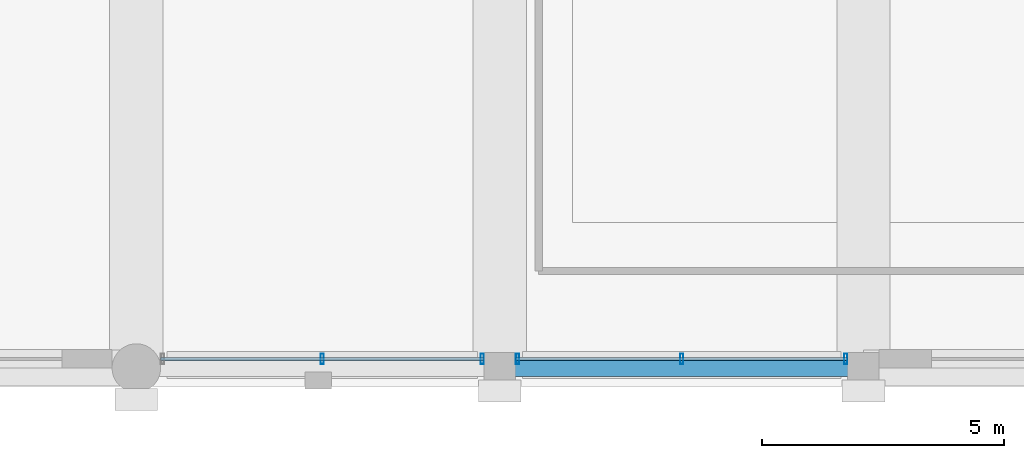
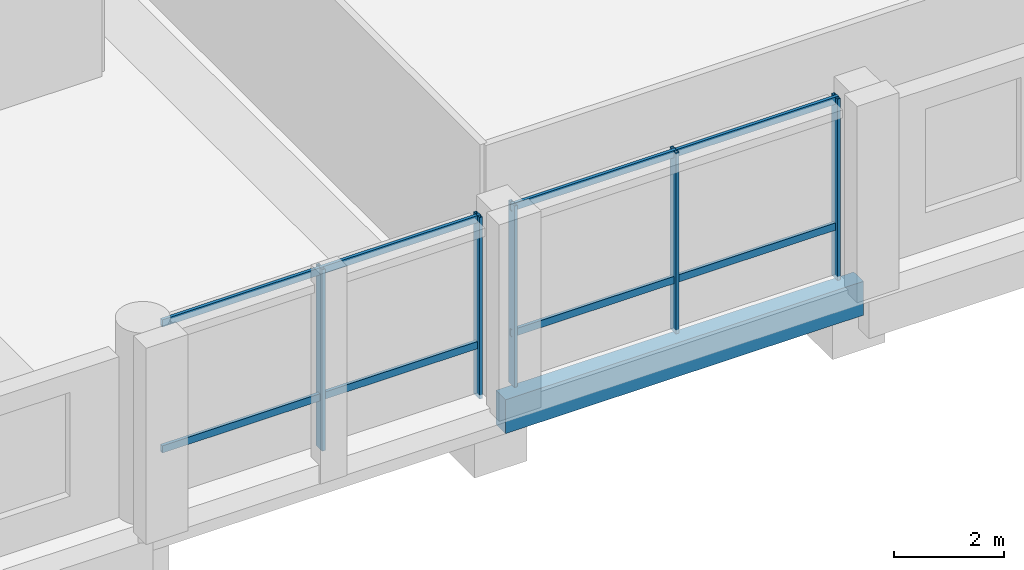
# One storey, part 13 of 64: 9 members, 1 beam, 2 elements without a shape of their own.
"""IFC4 building model written with IfcOpenShell, lengths in metres."""

from ifc_helpers import new_model, si_unit, direction, frame, origin, origin_2d, place, context, subcontext, project, spatial, rectangle, hollow_rectangle, extrude, material, material_profile, profile_set, type_object, element, aggregate, save


model = new_model("IFC4")

# Units and contexts
model_context = context("Model", 3, precision=1e-05, world=origin(), true_north=direction((0.0, 1.0)))
body_context = subcontext(model_context, "Body", "Model", "MODEL_VIEW")
ifc_project = project(units=[si_unit("LENGTHUNIT", "METRE"), si_unit("AREAUNIT", "SQUARE_METRE"), si_unit("VOLUMEUNIT", "CUBIC_METRE"), si_unit("PLANEANGLEUNIT", "RADIAN"), si_unit("MASSUNIT", "GRAM", prefix="KILO")], contexts=[model_context])

# Site, building, storey
site_placement = place(None, origin())
site = spatial("IfcSite", under=ifc_project, at=site_placement, CompositionType="ELEMENT")
building_placement = place(site_placement, origin())
building = spatial("IfcBuilding", under=site, at=building_placement, Name="Akrevak Sports Hall", CompositionType="ELEMENT")
storey_placement = place(building_placement, frame((0.0, 0.0, 4.60009765625)))
storey = spatial("IfcBuildingStorey", under=building, at=storey_placement, Name="L01", CompositionType="ELEMENT", Elevation=4.60009765625)

# Curtain wall, members
ifc_material_1 = material(Name="Anodized Bronze Aluminium & Low-E Glass", Category="aluminium")
curtain_wall_type_1 = type_object("IfcCurtainWallType", Name="ARC-CW-POD-64x44", PredefinedType="NOTDEFINED", material=ifc_material_1)
curtain_wall_1_placement = place(storey_placement, origin())
curtain_wall_1 = element("IfcCurtainWall", 1, at=curtain_wall_1_placement, inside=storey, type_object=curtain_wall_type_1, Name="Curtain Wall CW-L01-S03", PredefinedType="NOTDEFINED")
ifc_material_2 = material(Name="Anodized Bronze Aluminium", Category="aluminium")
ifc_material_profile_1 = material_profile(ifc_material_2, hollow_rectangle(XDim=0.06494140625, YDim=0.219970703125, WallThickness=0.00439453125, at=origin_2d()), Name="CWM 65x220", Category="aluminium")
ifc_profile_set_1 = profile_set([ifc_material_profile_1], Name="Anodized Bronze Aluminium")
member_type_1 = type_object("IfcMemberType", Name="ARC-CWM-70x160", PredefinedType="MULLION", material=ifc_profile_set_1)
member_1_placement = place(storey_placement, frame((33.83740234375, 0.18994140625, 0.0), z_axis=(0.0, 0.0, 1.0), x_axis=(1.0, 0.0, 0.0)))
member_1 = element("IfcMember", 2, at=member_1_placement, type_object=member_type_1, Name="Curtain Wall Mullion CW-L01-S03-M2", PredefinedType="MULLION", context=body_context, shape_type="SweptSolid", body=[
    extrude(hollow_rectangle(XDim=0.06494140625, YDim=0.219970703125, WallThickness=0.00439453125, at=origin_2d()), origin(), (0.0, 0.0, 1.0), 4.02001953125),
])
member_2_placement = place(storey_placement, frame((37.135009765625, 0.18994140625, 0.0), z_axis=(0.0, 0.0, 1.0), x_axis=(1.0, 0.0, 0.0)))
member_2 = element("IfcMember", 3, at=member_2_placement, type_object=member_type_1, Name="Curtain Wall Mullion CW-L01-S03-M3", PredefinedType="MULLION", context=body_context, shape_type="SweptSolid", body=[
    extrude(hollow_rectangle(XDim=0.06494140625, YDim=0.219970703125, WallThickness=0.00439453125, at=origin_2d()), origin(), (0.0, 0.0, 1.0), 4.02001953125),
])

curtain_wall_type_2 = type_object("IfcCurtainWallType", Name="ARC-CW-POD-70x42", PredefinedType="NOTDEFINED", material=ifc_material_1)
curtain_wall_2_placement = place(storey_placement, origin())
curtain_wall_2 = element("IfcCurtainWall", 4, at=curtain_wall_2_placement, inside=storey, type_object=curtain_wall_type_2, Name="Curtain Wall CW-L01-S04", PredefinedType="NOTDEFINED")
member_3_placement = place(storey_placement, frame((37.864990234375, 0.18994140625, 0.0), z_axis=(0.0, 0.0, 1.0), x_axis=(1.0, 0.0, 0.0)))
member_3 = element("IfcMember", 5, at=member_3_placement, type_object=member_type_1, Name="Curtain Wall Mullion CW-L01-S04-M1", PredefinedType="MULLION", context=body_context, shape_type="SweptSolid", body=[
    extrude(hollow_rectangle(XDim=0.06494140625, YDim=0.219970703125, WallThickness=0.00439453125, at=origin_2d()), origin(), (0.0, 0.0, 1.0), 4.02001953125),
])
member_4_placement = place(storey_placement, frame((41.25, 0.18994140625, 0.0), z_axis=(0.0, 0.0, 1.0), x_axis=(1.0, 0.0, 0.0)))
member_4 = element("IfcMember", 6, at=member_4_placement, type_object=member_type_1, Name="Curtain Wall Mullion CW-L01-S04-M2", PredefinedType="MULLION", context=body_context, shape_type="SweptSolid", body=[
    extrude(hollow_rectangle(XDim=0.06494140625, YDim=0.219970703125, WallThickness=0.00439453125, at=origin_2d()), origin(), (0.0, 0.0, 1.0), 4.02001953125),
])
member_5_placement = place(storey_placement, frame((44.635009765625, 0.18994140625, 0.0), z_axis=(0.0, 0.0, 1.0), x_axis=(1.0, 0.0, 0.0)))
member_5 = element("IfcMember", 7, at=member_5_placement, type_object=member_type_1, Name="Curtain Wall Mullion CW-L01-S04-M3", PredefinedType="MULLION", context=body_context, shape_type="SweptSolid", body=[
    extrude(hollow_rectangle(XDim=0.06494140625, YDim=0.219970703125, WallThickness=0.00439453125, at=origin_2d()), origin(), (0.0, 0.0, 1.0), 4.02001953125),
])

# Member
ifc_material_profile_2 = material_profile(ifc_material_2, hollow_rectangle(XDim=0.06494140625, YDim=0.159912109375, WallThickness=0.00390625, at=origin_2d()), Name="CWT 65x160", Category="aluminium")
ifc_profile_set_2 = profile_set([ifc_material_profile_2], Name="Anodized Bronze Aluminium")
member_type_2 = type_object("IfcMemberType", Name="ARC-CWT-70x130", PredefinedType="USERDEFINED", material=ifc_profile_set_2)
member_6_placement = place(storey_placement, frame((30.5, 0.18994140625, 1.14990234375), z_axis=(1.0, 0.0, 0.0), x_axis=(0.0, 1.0, 0.0)))
member_6 = element("IfcMember", 8, at=member_6_placement, type_object=member_type_2, Name="Curtain Wall Transom CW-L01-S03-T1", ObjectType="TRANSOM", PredefinedType="USERDEFINED", context=body_context, shape_type="SweptSolid", body=[
    extrude(hollow_rectangle(XDim=0.06494140625, YDim=0.159912109375, WallThickness=0.00390625, at=origin_2d()), origin(), (0.0, 0.0, 1.0), 6.675048828125),
])

member_7_placement = place(storey_placement, frame((30.5, 0.18994140625, 3.93994140625), z_axis=(1.0, 0.0, 0.0), x_axis=(0.0, 1.0, 0.0)))
member_7 = element("IfcMember", 9, at=member_7_placement, type_object=member_type_2, Name="Curtain Wall Transom CW-L01-S03-T2", ObjectType="TRANSOM", PredefinedType="USERDEFINED", context=body_context, shape_type="SweptSolid", body=[
    extrude(hollow_rectangle(XDim=0.06494140625, YDim=0.159912109375, WallThickness=0.00390625, at=origin_2d()), origin(), (0.0, 0.0, 1.0), 6.675048828125),
])

aggregate(curtain_wall_1, [member_1, member_2, member_6, member_7])

member_8_placement = place(storey_placement, frame((37.824951171875, 0.18994140625, 1.14990234375), z_axis=(1.0, 0.0, 0.0), x_axis=(0.0, 1.0, 0.0)))
member_8 = element("IfcMember", 10, at=member_8_placement, type_object=member_type_2, Name="Curtain Wall Transom CW-L01-S04-T1", ObjectType="TRANSOM", PredefinedType="USERDEFINED", context=body_context, shape_type="SweptSolid", body=[
    extrude(hollow_rectangle(XDim=0.06494140625, YDim=0.159912109375, WallThickness=0.00390625, at=origin_2d()), origin(), (0.0, 0.0, 1.0), 6.85009765625),
])

member_9_placement = place(storey_placement, frame((37.824951171875, 0.18994140625, 3.93994140625), z_axis=(1.0, 0.0, 0.0), x_axis=(0.0, 1.0, 0.0)))
member_9 = element("IfcMember", 11, at=member_9_placement, type_object=member_type_2, Name="Curtain Wall Transom CW-L01-S04-T2", ObjectType="TRANSOM", PredefinedType="USERDEFINED", context=body_context, shape_type="SweptSolid", body=[
    extrude(hollow_rectangle(XDim=0.06494140625, YDim=0.159912109375, WallThickness=0.00390625, at=origin_2d()), origin(), (0.0, 0.0, 1.0), 6.85009765625),
])

aggregate(curtain_wall_2, [member_3, member_4, member_5, member_8, member_9])

# Beam
ifc_material_3 = material(Name="Concrete C40/50", Category="concrete")
ifc_material_profile_3 = material_profile(ifc_material_3, rectangle(XDim=0.35009765625, YDim=0.75, at=origin_2d()), Name="SPD 350x750", Category="concrete")
ifc_profile_set_3 = profile_set([ifc_material_profile_3], Name="Concrete C40/50")
beam_type = type_object("IfcBeamType", Name="STR-SPD-RC350x750", PredefinedType="SPANDREL", material=ifc_profile_set_3)
beam_placement = place(storey_placement, frame((37.5, 0.0, -0.375), z_axis=(1.0, 0.0, 0.0), x_axis=(0.0, 1.0, 0.0)))
element("IfcBeam", 12, at=beam_placement, inside=storey, type_object=beam_type, Name="Girder A/6-7 (L01)", PredefinedType="SPANDREL", context=body_context, shape_type="SweptSolid", body=[
    extrude(rectangle(XDim=0.35009765625, YDim=0.75, at=origin_2d()), origin(), (0.0, 0.0, 1.0), 7.5),
])

save(model, "model.ifc")
